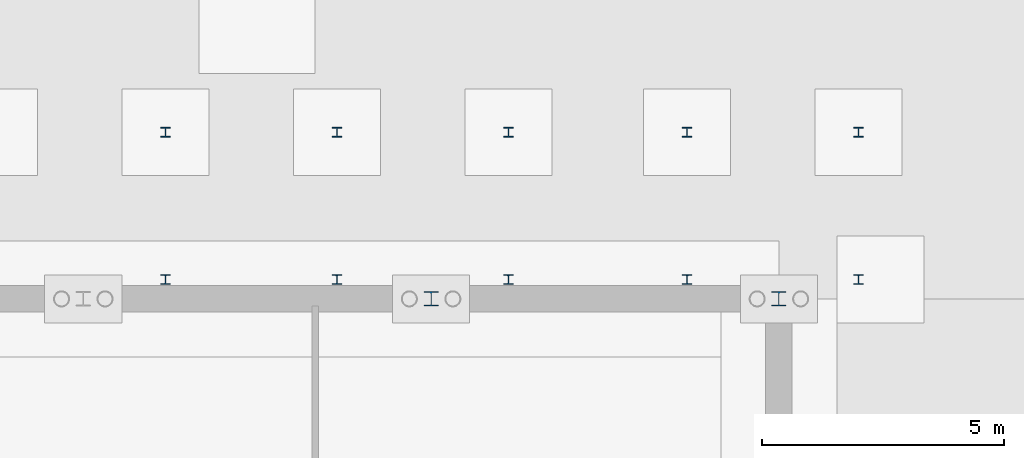
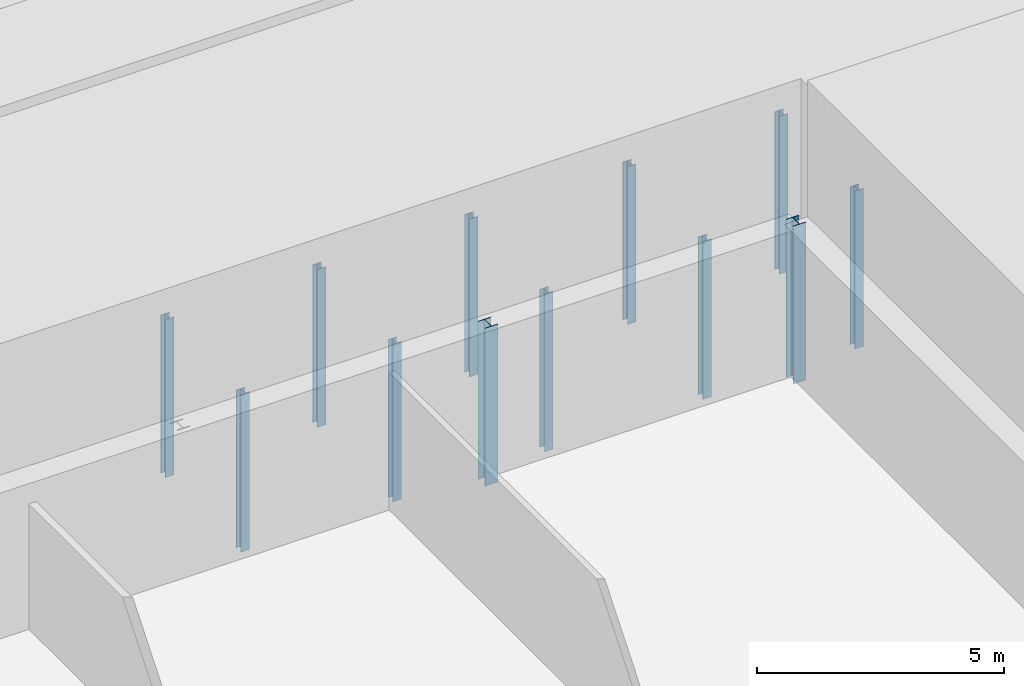
# One storey, part 69 of 148: 12 columns.
"""IFC4 building model written with IfcOpenShell, lengths in metres."""

from ifc_helpers import new_model, si_unit, direction, frame, origin, origin_2d, place, context, subcontext, project, spatial, i_section, extrude, material, material_profile, profile_set, type_object, element, save


model = new_model("IFC4")

# Units and contexts
model_context = context("Model", 3, precision=1e-05, world=origin(), true_north=direction((0.0, 1.0)))
body_context = subcontext(model_context, "Body", "Model", "MODEL_VIEW")
ifc_project = project(units=[si_unit("LENGTHUNIT", "METRE"), si_unit("AREAUNIT", "SQUARE_METRE"), si_unit("VOLUMEUNIT", "CUBIC_METRE"), si_unit("PLANEANGLEUNIT", "RADIAN"), si_unit("MASSUNIT", "GRAM", prefix="KILO")], contexts=[model_context])

# Site, building, storey
site_placement = place(None, origin())
site = spatial("IfcSite", under=ifc_project, at=site_placement, CompositionType="ELEMENT")
building_placement = place(site_placement, origin())
building = spatial("IfcBuilding", under=site, at=building_placement, Name="Kupolbacken Congress Centre", CompositionType="ELEMENT")
storey_placement = place(building_placement, origin())
storey = spatial("IfcBuildingStorey", under=building, at=storey_placement, Name="L00", CompositionType="ELEMENT", Elevation=0.0)

# Columns
ifc_material_1 = material(Name="Steel S355", Category="steel")
ifc_material_profile_1 = material_profile(ifc_material_1, i_section(OverallWidth=0.300048828125, OverallDepth=0.300048828125, WebThickness=0.010986328125, FlangeThickness=0.01904296875, FilletRadius=0.027099609375, at=origin_2d()), Name="HEB 300")
ifc_profile_set_1 = profile_set([ifc_material_profile_1], Name="Steel S355")
column_type_1 = type_object("IfcColumnType", Name="C06 column HEB 300", PredefinedType="COLUMN", material=ifc_profile_set_1)
for number, where, z_axis, x_axis, name in (
    (1, (194.39990234375, 151.199951171875, -0.300048828125), (0.0, 0.0, 1.0), (1.0, 0.0, 0.0), "S/col/C-B-B7N/L00"),
    (2, (201.60009765625, 151.199951171875, -0.300048828125), (0.0, 0.0, 1.0), (1.0, 0.0, 0.0), "S/col/C-B-B8N/L00"),
):
    element("IfcColumn", number, at=place(storey_placement, frame(where, z_axis=z_axis, x_axis=x_axis)), inside=storey, type_object=column_type_1, Name=name, PredefinedType="COLUMN", context=body_context, shape_type="SweptSolid", body=[
        extrude(i_section(OverallWidth=0.300048828125, OverallDepth=0.300048828125, WebThickness=0.010986328125, FlangeThickness=0.01904296875, FilletRadius=0.027099609375, at=origin_2d()), origin(), (0.0, 0.0, 1.0), 3.900146484375),
    ])
ifc_material_2 = material(Name="Steel S355", Category="steel")
ifc_material_profile_2 = material_profile(ifc_material_2, i_section(OverallWidth=0.199951171875, OverallDepth=0.199951171875, WebThickness=0.009033203125, FlangeThickness=0.014892578125, FilletRadius=0.01806640625, at=origin_2d()), Name="HEB 200")
ifc_profile_set_2 = profile_set([ifc_material_profile_2], Name="Steel S355")
column_type_2 = type_object("IfcColumnType", Name="C11 column HEB 200", PredefinedType="COLUMN", material=ifc_profile_set_2)
for number, where, z_axis, x_axis, name in (
    (3, (188.89990234375, 151.60009765625, -0.300048828125), (0.0, 0.0, 1.0), (1.0, 0.0, 0.0), "Covered passage column"),
    (4, (188.89990234375, 154.64990234375, -0.300048828125), (0.0, 0.0, 1.0), (1.0, 0.0, 0.0), "Covered passage column"),
    (5, (192.449951171875, 151.60009765625, -0.300048828125), (0.0, 0.0, 1.0), (1.0, 0.0, 0.0), "Covered passage column"),
    (6, (192.449951171875, 154.64990234375, -0.300048828125), (0.0, 0.0, 1.0), (1.0, 0.0, 0.0), "Covered passage column"),
    (7, (196.0, 151.60009765625, -0.300048828125), (0.0, 0.0, 1.0), (1.0, 0.0, 0.0), "Covered passage column"),
    (8, (196.0, 154.64990234375, -0.300048828125), (0.0, 0.0, 1.0), (1.0, 0.0, 0.0), "Covered passage column"),
    (9, (199.699951171875, 151.60009765625, -0.300048828125), (0.0, 0.0, 1.0), (1.0, 0.0, 0.0), "Covered passage column"),
    (10, (199.699951171875, 154.64990234375, -0.300048828125), (0.0, 0.0, 1.0), (1.0, 0.0, 0.0), "Covered passage column"),
    (11, (203.25, 151.60009765625, -0.300048828125), (0.0, 0.0, 1.0), (1.0, 0.0, 0.0), "Covered passage column"),
    (12, (203.25, 154.64990234375, -0.300048828125), (0.0, 0.0, 1.0), (1.0, 0.0, 0.0), "Covered passage column"),
):
    element("IfcColumn", number, at=place(storey_placement, frame(where, z_axis=z_axis, x_axis=x_axis)), inside=storey, type_object=column_type_2, Name=name, PredefinedType="COLUMN", context=body_context, shape_type="SweptSolid", body=[
        extrude(i_section(OverallWidth=0.199951171875, OverallDepth=0.199951171875, WebThickness=0.009033203125, FlangeThickness=0.014892578125, FilletRadius=0.01806640625, at=origin_2d()), origin(), (0.0, 0.0, 1.0), 3.900146484375),
    ])

save(model, "model.ifc")
